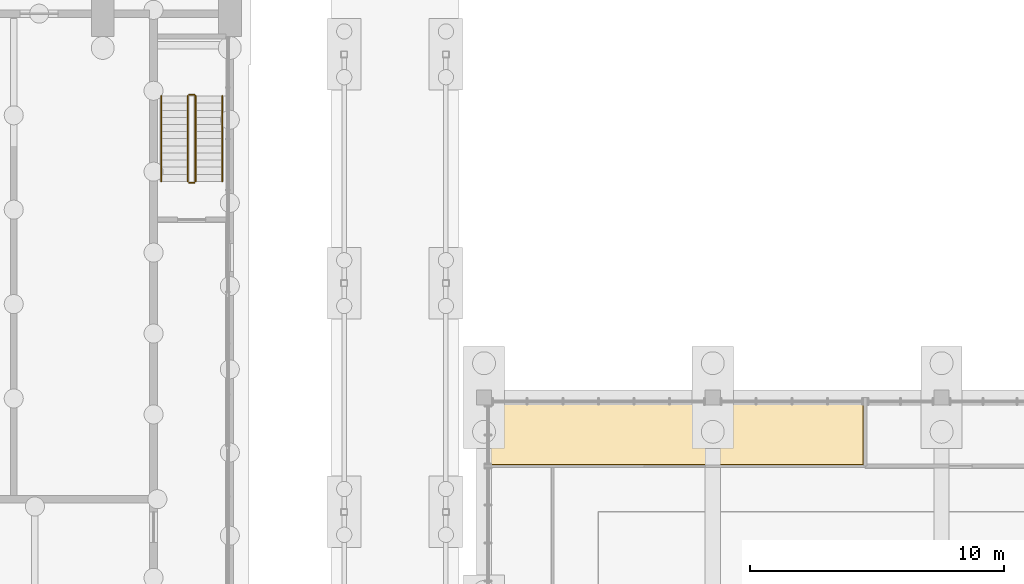
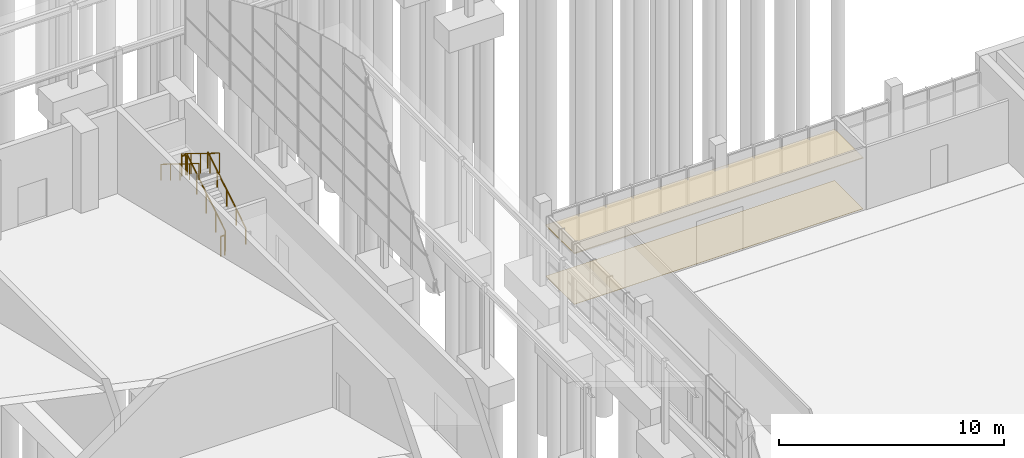
# One storey, part 88 of 106: 6 railings, 2 coverings.
"""IFC4 building model written with IfcOpenShell, lengths in metres."""

import ifcopenshell
import ifcopenshell.guid

model = None  # the IFC model being written
_history = None  # IfcOwnerHistory: only IFC2X3 demands one
_inside = {}  # id of a spatial element -> (the spatial element, [elements in it])
_under = {}  # id of a project, library or spatial element -> (it, [spatial elements below it])
_declared = {}  # id of a project -> (the project, [libraries it declares])
_typed = {}  # id of a type object -> (the type object, [elements of that type])
_made_of = {}  # id of a material, layer set ... -> (it, [elements and type objects made of it])


def new_model(schema):
    """Start an empty IFC model of exactly this schema.

    Asked for "IFC4X3", IfcOpenShell would pick the latest addendum, in which some entities
    have other attributes; the version numbers below select the first issue.
    IFC2X3 requires an IfcOwnerHistory on every rooted entity: one is made here for all.
    """
    global model, _history
    if schema == "IFC4X3":
        model = ifcopenshell.file(schema_version=(4, 3, 0, 0))
    else:
        model = ifcopenshell.file(schema=schema)
    _inside.clear()
    _under.clear()
    _declared.clear()
    _typed.clear()
    _made_of.clear()
    _history = None
    if model.schema == "IFC2X3":
        org = make("IfcOrganization", Name="unknown")
        user = make(
            "IfcPersonAndOrganization",
            ThePerson=make("IfcPerson", FamilyName="unknown"),
            TheOrganization=org,
        )
        app = make(
            "IfcApplication",
            ApplicationDeveloper=org,
            Version="unknown",
            ApplicationFullName="unknown",
            ApplicationIdentifier="unknown",
        )
        _history = make(
            "IfcOwnerHistory",
            OwningUser=user,
            OwningApplication=app,
            ChangeAction="ADDED",
            CreationDate=0,
        )
    return model


def make(cls, **values):
    """One entity of the class cls with the attributes given. An attribute that is None is left unset."""
    return model.create_entity(
        cls, **{name: value for name, value in values.items() if value is not None}
    )


def rooted(cls, **values):
    """An entity with a GlobalId (a new one), such as an element, a storey or a relation."""
    return make(cls, GlobalId=ifcopenshell.guid.new(), OwnerHistory=_history, **values)


def si_unit(unit_type, name, prefix=None):
    """IfcSIUnit, for example si_unit("LENGTHUNIT", "METRE", prefix="MILLI")."""
    return make("IfcSIUnit", UnitType=unit_type, Prefix=prefix, Name=name)


def assignment(units):
    """IfcUnitAssignment: the units of a project."""
    return None if units is None else make("IfcUnitAssignment", Units=units)


def point(xyz):
    """IfcCartesianPoint."""
    return None if xyz is None else make("IfcCartesianPoint", Coordinates=xyz)


def direction(xyz):
    """IfcDirection."""
    return None if xyz is None else make("IfcDirection", DirectionRatios=xyz)


def frame(location, z_axis=None, x_axis=None):
    """IfcAxis2Placement3D, a coordinate frame: its origin and axes. An axis left out is left unset."""
    return make(
        "IfcAxis2Placement3D",
        Location=point(location),
        Axis=direction(z_axis),
        RefDirection=direction(x_axis),
    )


def frame_2d(location, x_axis=None):
    """IfcAxis2Placement2D, a coordinate frame in the plane: its origin and x axis."""
    return make(
        "IfcAxis2Placement2D", Location=point(location), RefDirection=direction(x_axis)
    )


def origin():
    """The frame at (0, 0, 0) with its axes left unset."""
    return frame((0.0, 0.0, 0.0))


def origin_2d():
    """The frame at (0, 0) in the plane with its x axis left unset."""
    return frame_2d((0.0, 0.0))


def place(relative_to, where):
    """IfcLocalPlacement: puts the frame where relative to a parent placement (None: the world)."""
    return make(
        "IfcLocalPlacement", PlacementRelTo=relative_to, RelativePlacement=where
    )


def context(
    kind, dimensions, precision=None, world=None, true_north=None, identifier=None
):
    """IfcGeometricRepresentationContext, for example the 3D "Model" context."""
    return make(
        "IfcGeometricRepresentationContext",
        ContextIdentifier=identifier,
        ContextType=kind,
        CoordinateSpaceDimension=dimensions,
        Precision=precision,
        WorldCoordinateSystem=world,
        TrueNorth=true_north,
    )


def subcontext(parent, identifier, kind, view, scale=None):
    """IfcGeometricRepresentationSubContext, for example "Body" below "Model"."""
    return make(
        "IfcGeometricRepresentationSubContext",
        ContextIdentifier=identifier,
        ContextType=kind,
        ParentContext=parent,
        TargetScale=scale,
        TargetView=view,
    )


def project(units=None, contexts=None):
    """IfcProject with its units and contexts."""
    return rooted(
        "IfcProject",
        Name="project",
        RepresentationContexts=contexts,
        UnitsInContext=assignment(units),
    )


def spatial(cls, under=None, at=None, **own):
    """A site, building, storey or space (cls), placed at a placement, below another one or the project."""
    s = rooted(cls, ObjectPlacement=at, **own)
    if under is not None:
        _under.setdefault(under.id(), (under, []))[1].append(s)
    return s


def polyline(points):
    """IfcPolyline through the points."""
    return make("IfcPolyline", Points=[point(p) for p in points])


def profile(cls, at=None, kind="AREA", **sizes):
    """A parametric profile (cls). Its sizes go by their IFC names, for example OverallWidth=200.0."""
    return make(cls, ProfileType=kind, Position=at, **sizes)


def circle(**sizes):
    """IfcCircleProfileDef."""
    return profile("IfcCircleProfileDef", **sizes)


def outline(outer, holes=None, kind="AREA"):
    """IfcArbitraryClosedProfileDef: a profile drawn as a closed curve; with holes, ...WithVoids."""
    if holes is None:
        return make("IfcArbitraryClosedProfileDef", ProfileType=kind, OuterCurve=outer)
    return make(
        "IfcArbitraryProfileDefWithVoids",
        ProfileType=kind,
        OuterCurve=outer,
        InnerCurves=holes,
    )


def extrude(swept, where, along, depth):
    """IfcExtrudedAreaSolid: the profile swept, set in the frame where, extruded along a direction by depth."""
    return make(
        "IfcExtrudedAreaSolid",
        SweptArea=swept,
        Position=where,
        ExtrudedDirection=direction(along),
        Depth=depth,
    )


def shape(context_of_items, identifier, shape_type, items):
    """IfcShapeRepresentation: the items that make up one representation, for example the "Body"."""
    return make(
        "IfcShapeRepresentation",
        ContextOfItems=context_of_items,
        RepresentationIdentifier=identifier,
        RepresentationType=shape_type,
        Items=items,
    )


def material(Name=None, Category=None):
    """IfcMaterial."""
    return make("IfcMaterial", Name=Name, Category=Category)


def layer(
    of_material, thickness, ventilated=None, Name=None, Category=None, Priority=None
):
    """IfcMaterialLayer: one layer of a wall or slab, of a material (None: an air gap)."""
    return make(
        "IfcMaterialLayer",
        Material=of_material,
        LayerThickness=thickness,
        IsVentilated=ventilated,
        Name=Name,
        Category=Category,
        Priority=Priority,
    )


def layer_set(layers, Name=None):
    """IfcMaterialLayerSet."""
    return make("IfcMaterialLayerSet", MaterialLayers=layers, LayerSetName=Name)


def made_of(thing, what):
    """Note that an element or type object is made of a material, layer set ...; save() writes the relation."""
    if what is not None:
        _made_of.setdefault(what.id(), (what, []))[1].append(thing)
    return thing


def type_object(cls, material=None, **own):
    """A type object (cls), such as IfcWallType, which elements share."""
    return made_of(rooted(cls, **own), material)


def element(
    cls,
    number,
    at=None,
    inside=None,
    cuts=None,
    type_object=None,
    material=None,
    context=None,
    identifier="Body",
    shape_type=None,
    held_by="IfcProductDefinitionShape",
    body=None,
    shapes=None,
    **own,
):
    """One element of the class cls, such as IfcWall. Its Tag is "e" and its number.

    at: its placement. inside: the storey or other place that contains it. cuts: it is an
    opening in that element (IfcRelVoidsElement). A single representation is given by context,
    identifier, shape_type and body (its items); several are given by shapes. held_by: the class
    of the entity that holds the representations. save() writes the other relations.
    """
    e = rooted(cls, Tag="e%d" % number, ObjectPlacement=at, **own)
    if body is not None:
        shapes = [shape(context, identifier, shape_type, body)]
    if shapes is not None:
        e.Representation = make(held_by, Representations=shapes)
    if inside is not None:
        _inside.setdefault(inside.id(), (inside, []))[1].append(e)
    if cuts is not None:
        rooted(
            "IfcRelVoidsElement", RelatingBuildingElement=cuts, RelatedOpeningElement=e
        )
    if type_object is not None:
        _typed.setdefault(type_object.id(), (type_object, []))[1].append(e)
    return made_of(e, material)


def aggregate(whole, parts):
    """IfcRelAggregates: a whole, such as a stair, and the parts it consists of."""
    return rooted("IfcRelAggregates", RelatingObject=whole, RelatedObjects=parts)


def save(model, path):
    """Write the relations noted so far, then the file.

    IfcRelAggregates (storeys below a building ...), IfcRelContainedInSpatialStructure (elements
    in a storey), IfcRelDefinesByType, IfcRelAssociatesMaterial and IfcRelDeclares: one each for
    every whole, place, type object, material and project.
    """
    for whole, parts in _under.values():
        aggregate(whole, parts)
    for where, things in _inside.values():
        rooted(
            "IfcRelContainedInSpatialStructure",
            RelatedElements=things,
            RelatingStructure=where,
        )
    for kind, things in _typed.values():
        rooted("IfcRelDefinesByType", RelatedObjects=things, RelatingType=kind)
    for what, things in _made_of.values():
        rooted("IfcRelAssociatesMaterial", RelatedObjects=things, RelatingMaterial=what)
    for by, libraries in _declared.values():
        rooted("IfcRelDeclares", RelatingContext=by, RelatedDefinitions=libraries)
    model.write(path)


model = new_model("IFC4")

# Units and contexts
model_context = context("Model", 3, precision=1e-05, world=origin(), true_north=direction((0.0, 1.0)))
body_context = subcontext(model_context, "Body", "Model", "MODEL_VIEW")
ifc_project = project(units=[si_unit("LENGTHUNIT", "METRE"), si_unit("AREAUNIT", "SQUARE_METRE"), si_unit("VOLUMEUNIT", "CUBIC_METRE"), si_unit("PLANEANGLEUNIT", "RADIAN"), si_unit("MASSUNIT", "GRAM", prefix="KILO")], contexts=[model_context])

# Site, building, storey
site_placement = place(None, origin())
site = spatial("IfcSite", under=ifc_project, at=site_placement, CompositionType="ELEMENT")
building_placement = place(site_placement, origin())
building = spatial("IfcBuilding", under=site, at=building_placement, Name="Merrow Basin Faculty of Sciences", CompositionType="ELEMENT")
storey_placement = place(building_placement, origin())
storey = spatial("IfcBuildingStorey", under=building, at=storey_placement, Name="L00", CompositionType="ELEMENT", Elevation=0.0)

# Covering
ifc_material_1 = material(Name="Carpet tile floor")
ifc_layer_1 = layer(ifc_material_1, 0.02001953125)
ifc_layer_set_1 = layer_set([ifc_layer_1], Name="Carpet tile floor")
covering_type_1 = type_object("IfcCoveringType", Name="Carpet tile floor", PredefinedType="FLOORING", material=ifc_layer_set_1)
covering_1_placement = place(storey_placement, origin())
element("IfcCovering", 1, at=covering_1_placement, inside=storey, type_object=covering_type_1, Name="Floor finish L00-A-011", PredefinedType="FLOORING", context=body_context, shape_type="SweptSolid", body=[
    extrude(outline(polyline([(45.110107421875, 35.889892578125), (59.9150390625, 35.889892578125), (59.9150390625, 33.360107421875), (45.110107421875, 33.360107421875), (45.110107421875, 35.889892578125)])), origin(), (0.0, 0.0, 1.0), 0.02001953125),
])

# Railings
ifc_material_2 = material(Name="Steel ASTM A36", Category="steel")
railing_type_1 = type_object("IfcRailingType", Name="Steel guard 1100", PredefinedType="GUARDRAIL", material=ifc_material_2)
railing_1_placement = place(storey_placement, frame((33.64990234375, 44.5, 0.173095703125)))
element("IfcRailing", 2, at=railing_1_placement, inside=storey, type_object=railing_type_1, Name="L00 ST-V1-NE stair guard 1", PredefinedType="GUARDRAIL", context=body_context, shape_type="SweptSolid", body=[
    extrude(circle(Radius=0.02392578125, at=origin_2d()), frame((0.0, 0.0, 1.076171875), z_axis=(0.0, 0.850623216509, 0.525775754039), x_axis=(-1.0, 0.0, 0.0)), (0.0, 0.0, 1.0), 3.9501953125),
    extrude(circle(Radius=0.02099609375, at=origin_2d()), origin(), (0.0, 0.0, 1.0), 1.052001953125),
    extrude(circle(Radius=0.02099609375, at=origin_2d()), frame((0.0, 0.840087890625, 0.519287109375)), (0.0, 0.0, 1.0), 1.052001953125),
    extrude(circle(Radius=0.02099609375, at=origin_2d()), frame((0.0, 1.68017578125, 1.03857421875)), (0.0, 0.0, 1.0), 1.052001953125),
    extrude(circle(Radius=0.02099609375, at=origin_2d()), frame((0.0, 2.52001953125, 1.5576171875)), (0.0, 0.0, 1.0), 1.052001953125),
    extrude(circle(Radius=0.02099609375, at=origin_2d()), frame((0.0, 3.360107421875, 2.076904296875)), (0.0, 0.0, 1.0), 1.052001953125),
])
railing_2_placement = place(storey_placement, frame((33.60009765625, 47.909912109375, 2.25)))
element("IfcRailing", 3, at=railing_2_placement, inside=storey, type_object=railing_type_1, Name="L00 ST-V1-NE stair guard 2", PredefinedType="GUARDRAIL", context=body_context, shape_type="SweptSolid", body=[
    extrude(circle(Radius=0.02392578125, at=origin_2d()), frame((0.0, 0.0, 1.076171875), z_axis=(-1.0, 0.0, 0.0), x_axis=(0.0, -1.0, 0.0)), (0.0, 0.0, 1.0), 0.2001953125),
    extrude(circle(Radius=0.02099609375, at=origin_2d()), origin(), (0.0, 0.0, 1.0), 1.052001953125),
    extrude(circle(Radius=0.02099609375, at=origin_2d()), frame((-0.2001953125, 0.0, 0.0)), (0.0, 0.0, 1.0), 1.052001953125),
])
railing_3_placement = place(storey_placement, frame((33.35009765625, 47.860107421875, 2.423095703125)))
element("IfcRailing", 4, at=railing_3_placement, inside=storey, type_object=railing_type_1, Name="L00 ST-V1-NE stair guard 3", PredefinedType="GUARDRAIL", context=body_context, shape_type="SweptSolid", body=[
    extrude(circle(Radius=0.02392578125, at=origin_2d()), frame((0.0, 0.0, 1.076171875), z_axis=(0.0, -0.850623216509, 0.525775754039), x_axis=(1.0, 0.0, 0.0)), (0.0, 0.0, 1.0), 3.9501953125),
    extrude(circle(Radius=0.02099609375, at=origin_2d()), origin(), (0.0, 0.0, 1.0), 1.052001953125),
    extrude(circle(Radius=0.02099609375, at=origin_2d()), frame((0.0, -0.840087890625, 0.519287109375)), (0.0, 0.0, 1.0), 1.052001953125),
    extrude(circle(Radius=0.02099609375, at=origin_2d()), frame((0.0, -1.68017578125, 1.03857421875)), (0.0, 0.0, 1.0), 1.052001953125),
    extrude(circle(Radius=0.02099609375, at=origin_2d()), frame((0.0, -2.52001953125, 1.5576171875)), (0.0, 0.0, 1.0), 1.052001953125),
    extrude(circle(Radius=0.02099609375, at=origin_2d()), frame((0.0, -3.360107421875, 2.076904296875)), (0.0, 0.0, 1.0), 1.052001953125),
])
railing_4_placement = place(storey_placement, frame((33.60009765625, 44.449951171875, 0.0)))
element("IfcRailing", 5, at=railing_4_placement, inside=storey, type_object=railing_type_1, Name="L00 ST-V1-NE stair guard 4", PredefinedType="GUARDRAIL", context=body_context, shape_type="SweptSolid", body=[
    extrude(circle(Radius=0.02392578125, at=origin_2d()), frame((0.0, 0.0, 1.076171875), z_axis=(-1.0, 0.0, 0.0), x_axis=(0.0, -1.0, 0.0)), (0.0, 0.0, 1.0), 0.2001953125),
    extrude(circle(Radius=0.02099609375, at=origin_2d()), origin(), (0.0, 0.0, 1.0), 1.052001953125),
    extrude(circle(Radius=0.02099609375, at=origin_2d()), frame((-0.2001953125, 0.0, 0.0)), (0.0, 0.0, 1.0), 1.052001953125),
])
ifc_material_3 = material(Name="Steel ASTM A36", Category="steel")
railing_type_2 = type_object("IfcRailingType", Name="Steel handrail 900", PredefinedType="HANDRAIL", material=ifc_material_3)
railing_5_placement = place(storey_placement, frame((34.699951171875, 44.5, 0.173095703125)))
element("IfcRailing", 6, at=railing_5_placement, inside=storey, type_object=railing_type_2, Name="L00 ST-V1-NE stair handrail 1", PredefinedType="HANDRAIL", context=body_context, shape_type="SweptSolid", body=[
    extrude(circle(Radius=0.02392578125, at=origin_2d()), frame((0.0, 0.0, 0.8759765625), z_axis=(0.0, 0.850623216509, 0.525775754039), x_axis=(-1.0, 0.0, 0.0)), (0.0, 0.0, 1.0), 3.9501953125),
    extrude(circle(Radius=0.02099609375, at=origin_2d()), origin(), (0.0, 0.0, 1.0), 0.851806640625),
    extrude(circle(Radius=0.02099609375, at=origin_2d()), frame((0.0, 0.840087890625, 0.519287109375)), (0.0, 0.0, 1.0), 0.851806640625),
    extrude(circle(Radius=0.02099609375, at=origin_2d()), frame((0.0, 1.68017578125, 1.03857421875)), (0.0, 0.0, 1.0), 0.851806640625),
    extrude(circle(Radius=0.02099609375, at=origin_2d()), frame((0.0, 2.52001953125, 1.5576171875)), (0.0, 0.0, 1.0), 0.851806640625),
    extrude(circle(Radius=0.02099609375, at=origin_2d()), frame((0.0, 3.360107421875, 2.076904296875)), (0.0, 0.0, 1.0), 0.851806640625),
])
railing_6_placement = place(storey_placement, frame((32.300048828125, 47.860107421875, 2.423095703125)))
element("IfcRailing", 7, at=railing_6_placement, inside=storey, type_object=railing_type_2, Name="L00 ST-V1-NE stair handrail 2", PredefinedType="HANDRAIL", context=body_context, shape_type="SweptSolid", body=[
    extrude(circle(Radius=0.02392578125, at=origin_2d()), frame((0.0, 0.0, 0.8759765625), z_axis=(0.0, -0.850623216509, 0.525775754039), x_axis=(1.0, 0.0, 0.0)), (0.0, 0.0, 1.0), 3.9501953125),
    extrude(circle(Radius=0.02099609375, at=origin_2d()), origin(), (0.0, 0.0, 1.0), 0.851806640625),
    extrude(circle(Radius=0.02099609375, at=origin_2d()), frame((0.0, -0.840087890625, 0.519287109375)), (0.0, 0.0, 1.0), 0.851806640625),
    extrude(circle(Radius=0.02099609375, at=origin_2d()), frame((0.0, -1.68017578125, 1.03857421875)), (0.0, 0.0, 1.0), 0.851806640625),
    extrude(circle(Radius=0.02099609375, at=origin_2d()), frame((0.0, -2.52001953125, 1.5576171875)), (0.0, 0.0, 1.0), 0.851806640625),
    extrude(circle(Radius=0.02099609375, at=origin_2d()), frame((0.0, -3.360107421875, 2.076904296875)), (0.0, 0.0, 1.0), 0.851806640625),
])

# Covering
ifc_material_4 = material(Name="Mineral fibre ceiling tile")
ifc_layer_2 = layer(ifc_material_4, 0.050048828125)
ifc_layer_set_2 = layer_set([ifc_layer_2], Name="Suspended acoustic ceiling tile")
covering_type_2 = type_object("IfcCoveringType", Name="Suspended acoustic ceiling tile", PredefinedType="CEILING", material=ifc_layer_set_2)
covering_2_placement = place(storey_placement, frame((0.0, 0.0, 2.75)))
element("IfcCovering", 8, at=covering_2_placement, inside=storey, type_object=covering_type_2, Name="Ceiling L00-A-011", PredefinedType="CEILING", context=body_context, shape_type="SweptSolid", body=[
    extrude(outline(polyline([(45.10009765625, 35.89990234375), (59.925048828125, 35.89990234375), (59.925048828125, 33.35009765625), (45.10009765625, 33.35009765625), (45.10009765625, 35.89990234375)])), origin(), (0.0, 0.0, 1.0), 0.050048828125),
])

save(model, "model.ifc")
